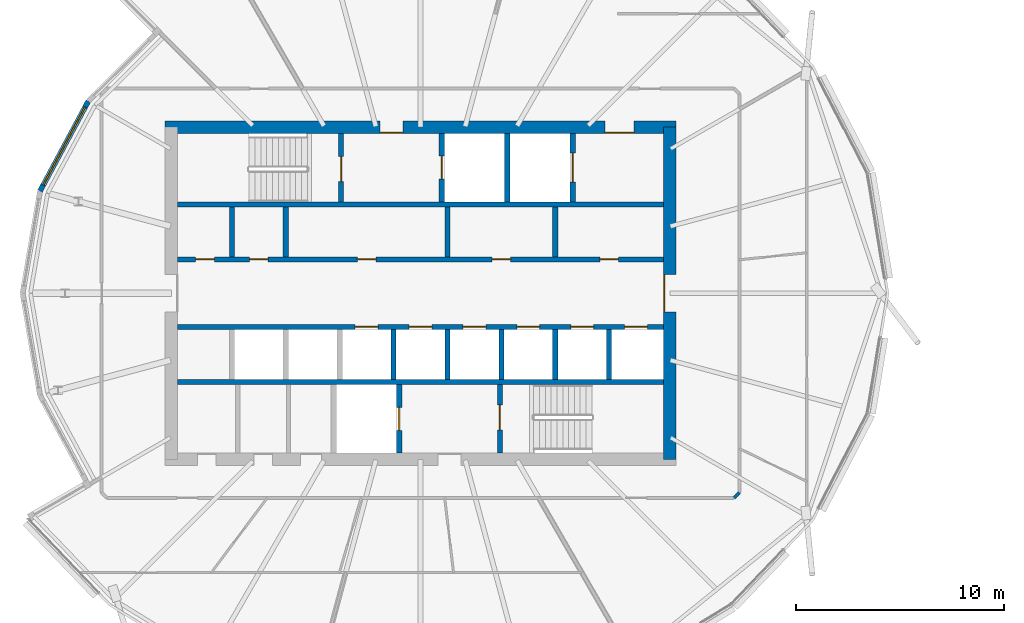
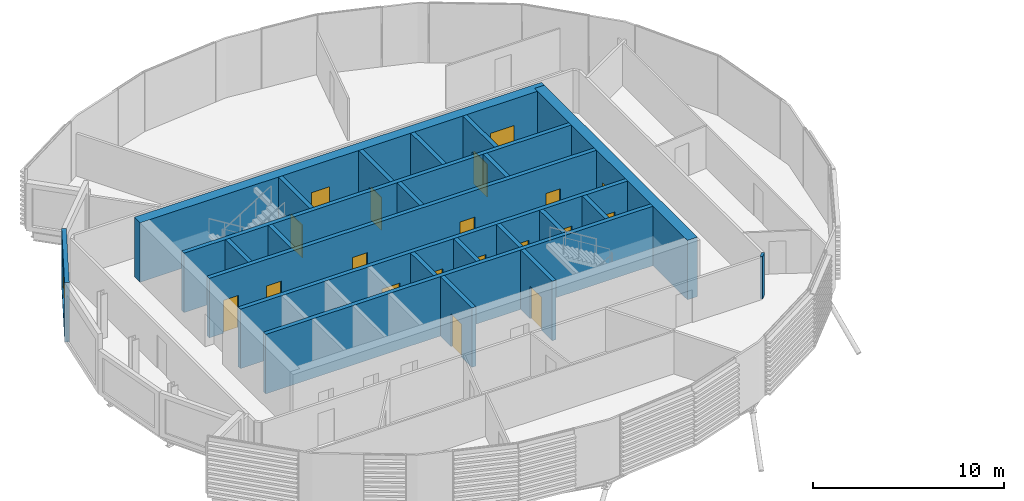
# One storey, part 20 of 37: 23 walls, 19 doors, 1 window, 20 openings.
"""IFC4 building model written with IfcOpenShell, lengths in metres."""

import ifcopenshell
import ifcopenshell.guid

model = None  # the IFC model being written
_history = None  # IfcOwnerHistory: only IFC2X3 demands one
_inside = {}  # id of a spatial element -> (the spatial element, [elements in it])
_under = {}  # id of a project, library or spatial element -> (it, [spatial elements below it])
_declared = {}  # id of a project -> (the project, [libraries it declares])
_typed = {}  # id of a type object -> (the type object, [elements of that type])
_made_of = {}  # id of a material, layer set ... -> (it, [elements and type objects made of it])


def new_model(schema):
    """Start an empty IFC model of exactly this schema.

    Asked for "IFC4X3", IfcOpenShell would pick the latest addendum, in which some entities
    have other attributes; the version numbers below select the first issue.
    IFC2X3 requires an IfcOwnerHistory on every rooted entity: one is made here for all.
    """
    global model, _history
    if schema == "IFC4X3":
        model = ifcopenshell.file(schema_version=(4, 3, 0, 0))
    else:
        model = ifcopenshell.file(schema=schema)
    _inside.clear()
    _under.clear()
    _declared.clear()
    _typed.clear()
    _made_of.clear()
    _history = None
    if model.schema == "IFC2X3":
        org = make("IfcOrganization", Name="unknown")
        user = make(
            "IfcPersonAndOrganization",
            ThePerson=make("IfcPerson", FamilyName="unknown"),
            TheOrganization=org,
        )
        app = make(
            "IfcApplication",
            ApplicationDeveloper=org,
            Version="unknown",
            ApplicationFullName="unknown",
            ApplicationIdentifier="unknown",
        )
        _history = make(
            "IfcOwnerHistory",
            OwningUser=user,
            OwningApplication=app,
            ChangeAction="ADDED",
            CreationDate=0,
        )
    return model


def make(cls, **values):
    """One entity of the class cls with the attributes given. An attribute that is None is left unset."""
    return model.create_entity(
        cls, **{name: value for name, value in values.items() if value is not None}
    )


def rooted(cls, **values):
    """An entity with a GlobalId (a new one), such as an element, a storey or a relation."""
    return make(cls, GlobalId=ifcopenshell.guid.new(), OwnerHistory=_history, **values)


def si_unit(unit_type, name, prefix=None):
    """IfcSIUnit, for example si_unit("LENGTHUNIT", "METRE", prefix="MILLI")."""
    return make("IfcSIUnit", UnitType=unit_type, Prefix=prefix, Name=name)


def assignment(units):
    """IfcUnitAssignment: the units of a project."""
    return None if units is None else make("IfcUnitAssignment", Units=units)


def point(xyz):
    """IfcCartesianPoint."""
    return None if xyz is None else make("IfcCartesianPoint", Coordinates=xyz)


def direction(xyz):
    """IfcDirection."""
    return None if xyz is None else make("IfcDirection", DirectionRatios=xyz)


def frame(location, z_axis=None, x_axis=None):
    """IfcAxis2Placement3D, a coordinate frame: its origin and axes. An axis left out is left unset."""
    return make(
        "IfcAxis2Placement3D",
        Location=point(location),
        Axis=direction(z_axis),
        RefDirection=direction(x_axis),
    )


def frame_2d(location, x_axis=None):
    """IfcAxis2Placement2D, a coordinate frame in the plane: its origin and x axis."""
    return make(
        "IfcAxis2Placement2D", Location=point(location), RefDirection=direction(x_axis)
    )


def origin():
    """The frame at (0, 0, 0) with its axes left unset."""
    return frame((0.0, 0.0, 0.0))


def place(relative_to, where):
    """IfcLocalPlacement: puts the frame where relative to a parent placement (None: the world)."""
    return make(
        "IfcLocalPlacement", PlacementRelTo=relative_to, RelativePlacement=where
    )


def context(
    kind, dimensions, precision=None, world=None, true_north=None, identifier=None
):
    """IfcGeometricRepresentationContext, for example the 3D "Model" context."""
    return make(
        "IfcGeometricRepresentationContext",
        ContextIdentifier=identifier,
        ContextType=kind,
        CoordinateSpaceDimension=dimensions,
        Precision=precision,
        WorldCoordinateSystem=world,
        TrueNorth=true_north,
    )


def subcontext(parent, identifier, kind, view, scale=None):
    """IfcGeometricRepresentationSubContext, for example "Body" below "Model"."""
    return make(
        "IfcGeometricRepresentationSubContext",
        ContextIdentifier=identifier,
        ContextType=kind,
        ParentContext=parent,
        TargetScale=scale,
        TargetView=view,
    )


def project(units=None, contexts=None):
    """IfcProject with its units and contexts."""
    return rooted(
        "IfcProject",
        Name="project",
        RepresentationContexts=contexts,
        UnitsInContext=assignment(units),
    )


def spatial(cls, under=None, at=None, **own):
    """A site, building, storey or space (cls), placed at a placement, below another one or the project."""
    s = rooted(cls, ObjectPlacement=at, **own)
    if under is not None:
        _under.setdefault(under.id(), (under, []))[1].append(s)
    return s


def profile(cls, at=None, kind="AREA", **sizes):
    """A parametric profile (cls). Its sizes go by their IFC names, for example OverallWidth=200.0."""
    return make(cls, ProfileType=kind, Position=at, **sizes)


def rectangle(**sizes):
    """IfcRectangleProfileDef."""
    return profile("IfcRectangleProfileDef", **sizes)


def extrude(swept, where, along, depth):
    """IfcExtrudedAreaSolid: the profile swept, set in the frame where, extruded along a direction by depth."""
    return make(
        "IfcExtrudedAreaSolid",
        SweptArea=swept,
        Position=where,
        ExtrudedDirection=direction(along),
        Depth=depth,
    )


def shape(context_of_items, identifier, shape_type, items):
    """IfcShapeRepresentation: the items that make up one representation, for example the "Body"."""
    return make(
        "IfcShapeRepresentation",
        ContextOfItems=context_of_items,
        RepresentationIdentifier=identifier,
        RepresentationType=shape_type,
        Items=items,
    )


def material(Name=None, Category=None):
    """IfcMaterial."""
    return make("IfcMaterial", Name=Name, Category=Category)


def layer(
    of_material, thickness, ventilated=None, Name=None, Category=None, Priority=None
):
    """IfcMaterialLayer: one layer of a wall or slab, of a material (None: an air gap)."""
    return make(
        "IfcMaterialLayer",
        Material=of_material,
        LayerThickness=thickness,
        IsVentilated=ventilated,
        Name=Name,
        Category=Category,
        Priority=Priority,
    )


def layer_set(layers, Name=None):
    """IfcMaterialLayerSet."""
    return make("IfcMaterialLayerSet", MaterialLayers=layers, LayerSetName=Name)


def made_of(thing, what):
    """Note that an element or type object is made of a material, layer set ...; save() writes the relation."""
    if what is not None:
        _made_of.setdefault(what.id(), (what, []))[1].append(thing)
    return thing


def type_object(cls, material=None, **own):
    """A type object (cls), such as IfcWallType, which elements share."""
    return made_of(rooted(cls, **own), material)


def element(
    cls,
    number,
    at=None,
    inside=None,
    cuts=None,
    type_object=None,
    material=None,
    context=None,
    identifier="Body",
    shape_type=None,
    held_by="IfcProductDefinitionShape",
    body=None,
    shapes=None,
    **own,
):
    """One element of the class cls, such as IfcWall. Its Tag is "e" and its number.

    at: its placement. inside: the storey or other place that contains it. cuts: it is an
    opening in that element (IfcRelVoidsElement). A single representation is given by context,
    identifier, shape_type and body (its items); several are given by shapes. held_by: the class
    of the entity that holds the representations. save() writes the other relations.
    """
    e = rooted(cls, Tag="e%d" % number, ObjectPlacement=at, **own)
    if body is not None:
        shapes = [shape(context, identifier, shape_type, body)]
    if shapes is not None:
        e.Representation = make(held_by, Representations=shapes)
    if inside is not None:
        _inside.setdefault(inside.id(), (inside, []))[1].append(e)
    if cuts is not None:
        rooted(
            "IfcRelVoidsElement", RelatingBuildingElement=cuts, RelatedOpeningElement=e
        )
    if type_object is not None:
        _typed.setdefault(type_object.id(), (type_object, []))[1].append(e)
    return made_of(e, material)


def fill(opening, filler):
    """IfcRelFillsElement: the door or window that sits in an opening."""
    return rooted(
        "IfcRelFillsElement",
        RelatingOpeningElement=opening,
        RelatedBuildingElement=filler,
    )


def aggregate(whole, parts):
    """IfcRelAggregates: a whole, such as a stair, and the parts it consists of."""
    return rooted("IfcRelAggregates", RelatingObject=whole, RelatedObjects=parts)


def save(model, path):
    """Write the relations noted so far, then the file.

    IfcRelAggregates (storeys below a building ...), IfcRelContainedInSpatialStructure (elements
    in a storey), IfcRelDefinesByType, IfcRelAssociatesMaterial and IfcRelDeclares: one each for
    every whole, place, type object, material and project.
    """
    for whole, parts in _under.values():
        aggregate(whole, parts)
    for where, things in _inside.values():
        rooted(
            "IfcRelContainedInSpatialStructure",
            RelatedElements=things,
            RelatingStructure=where,
        )
    for kind, things in _typed.values():
        rooted("IfcRelDefinesByType", RelatedObjects=things, RelatingType=kind)
    for what, things in _made_of.values():
        rooted("IfcRelAssociatesMaterial", RelatedObjects=things, RelatingMaterial=what)
    for by, libraries in _declared.values():
        rooted("IfcRelDeclares", RelatingContext=by, RelatedDefinitions=libraries)
    model.write(path)


model = new_model("IFC4")

# Units and contexts
model_context = context("Model", 3, precision=1e-05, world=origin(), true_north=direction((0.0, 1.0)))
body_context = subcontext(model_context, "Body", "Model", "MODEL_VIEW")
ifc_project = project(units=[si_unit("LENGTHUNIT", "METRE"), si_unit("AREAUNIT", "SQUARE_METRE"), si_unit("VOLUMEUNIT", "CUBIC_METRE"), si_unit("PLANEANGLEUNIT", "RADIAN"), si_unit("MASSUNIT", "GRAM", prefix="KILO")], contexts=[model_context])

# Site, building, storey
site_placement = place(None, origin())
site = spatial("IfcSite", under=ifc_project, at=site_placement, CompositionType="ELEMENT")
building_placement = place(site_placement, origin())
building = spatial("IfcBuilding", under=site, at=building_placement, Name="Rimbun Link Towers", CompositionType="ELEMENT")
storey_placement = place(building_placement, frame((0.0, 0.0, 166.5)))
storey = spatial("IfcBuildingStorey", under=building, at=storey_placement, Name="L40", CompositionType="ELEMENT", Elevation=166.5)

# Wall, opening, window
ifc_material_1 = material(Name="Dark enamelled glass spandrel on insulated aluminium backpan", Category="aluminium")
ifc_layer_1 = layer(ifc_material_1, 0.25)
ifc_layer_set_1 = layer_set([ifc_layer_1], Name="CS dark enamelled spandrel wall 250")
wall_type_1 = type_object("IfcWallType", Name="CS dark enamelled spandrel wall 250", PredefinedType="STANDARD", material=ifc_layer_set_1)
wall_1_placement = place(storey_placement, frame((-50.07470703125, 4.919189453125, 0.0), z_axis=(0.0, 0.0, 1.0), x_axis=(0.473187986105, 0.880961480319, 0.0)))
wall_1 = element("IfcWall", 1, at=wall_1_placement, inside=storey, type_object=wall_type_1, Name="Crease spandrel wall", PredefinedType="STANDARD", context=body_context, shape_type="SweptSolid", body=[
    extrude(rectangle(XDim=4.9189453125, YDim=0.25, at=frame_2d((2.45947265625, 0.0))), origin(), (0.0, 0.0, 1.0), 3.800048828125),
])
opening_1_placement = place(wall_1_placement, frame((0.33447265625, 0.0, 0.300048828125)))
opening_1 = element("IfcOpeningElement", 2, at=opening_1_placement, cuts=wall_1, Name="Opening WR42H295", PredefinedType="OPENING", context=body_context, shape_type="SweptSolid", body=[
    extrude(rectangle(XDim=4.25, YDim=2.949951171875, at=frame_2d((2.125, 1.47509765625))), frame((0.0, 0.135009765625, 0.0), z_axis=(0.0, -1.0, 0.0), x_axis=(1.0, 0.0, 0.0)), (0.0, 0.0, 1.0), 0.27001953125),
])
ifc_material_2 = material(Name="Aluminium framed fixed window, dark tinted low-e glass", Category="aluminium")
window_type = type_object("IfcWindowType", Name="WR ribbon window 4250X2950", PartitioningType="SINGLE_PANEL", PredefinedType="WINDOW", material=ifc_material_2)
window_placement = place(opening_1_placement, origin())
window = element("IfcWindow", 3, at=window_placement, inside=storey, type_object=window_type, Name="Crease ribbon window", OverallHeight=2.949951171875, OverallWidth=4.25, PartitioningType="SINGLE_PANEL", PredefinedType="WINDOW", context=body_context, shape_type="SweptSolid", body=[
    extrude(rectangle(XDim=4.25, YDim=2.949951171875, at=frame_2d((2.125, 1.47509765625))), frame((0.0, 0.030029296875, 0.0), z_axis=(0.0, -1.0, 0.0), x_axis=(1.0, 0.0, 0.0)), (0.0, 0.0, 1.0), 0.06005859375),
])
fill(opening_1, window)

# Wall, openings, doors
ifc_material_3 = material(Name="Concrete C60/75", Category="concrete")
ifc_layer_2 = layer(ifc_material_3, 0.60009765625)
ifc_layer_set_2 = layer_set([ifc_layer_2], Name="Core shear wall 600")
wall_type_2 = type_object("IfcWallType", Name="Core shear wall 600", PredefinedType="SHEAR", material=ifc_layer_set_2)
wall_2_placement = place(storey_placement, frame((-44.050048828125, 8.0, 0.0), z_axis=(0.0, 0.0, 1.0), x_axis=(1.0, 0.0, 0.0)))
wall_2 = element("IfcWall", 4, at=wall_2_placement, inside=storey, type_object=wall_type_2, Name="L40 T1 core wall N", PredefinedType="SHEAR", context=body_context, shape_type="SweptSolid", body=[
    extrude(rectangle(XDim=24.60009765625, YDim=0.60009765625, at=frame_2d((12.300048828125, 0.0))), origin(), (0.0, 0.0, 1.0), 3.800048828125),
])
opening_2_placement = place(wall_2_placement, frame((10.35009765625, 0.0, 0.0)))
opening_2 = element("IfcOpeningElement", 5, at=opening_2_placement, cuts=wall_2, Name="Opening C1DCF01N", PredefinedType="OPENING", context=body_context, shape_type="SweptSolid", body=[
    extrude(rectangle(XDim=1.10009765625, YDim=2.10009765625, at=frame_2d((0.550048828125, 1.050048828125))), frame((0.0, 0.31005859375, 0.0), z_axis=(0.0, -1.0, 0.0), x_axis=(1.0, 0.0, 0.0)), (0.0, 0.0, 1.0), 0.6201171875),
])
opening_3_placement = place(wall_2_placement, frame((21.175048828125, 0.0, 0.0)))
opening_3 = element("IfcOpeningElement", 6, at=opening_3_placement, cuts=wall_2, Name="Opening C1DSL02N", PredefinedType="OPENING", context=body_context, shape_type="SweptSolid", body=[
    extrude(rectangle(XDim=1.39990234375, YDim=2.10009765625, at=frame_2d((0.699951171875, 1.050048828125))), frame((0.0, 0.31005859375, 0.0), z_axis=(0.0, -1.0, 0.0), x_axis=(1.0, 0.0, 0.0)), (0.0, 0.0, 1.0), 0.6201171875),
])
ifc_material_4 = material(Name="Steel fire door set", Category="steel")
door_type_1 = type_object("IfcDoorType", Name="Core fire door single", OperationType="SINGLE_SWING_LEFT", PredefinedType="DOOR", material=ifc_material_4)
door_1_placement = place(opening_2_placement, origin())
door_1 = element("IfcDoor", 7, at=door_1_placement, inside=storey, type_object=door_type_1, Name="L40 T1 firefighting lobby n door", OperationType="SINGLE_SWING_LEFT", OverallHeight=2.10009765625, OverallWidth=1.10009765625, PredefinedType="DOOR", context=body_context, shape_type="SweptSolid", body=[
    extrude(rectangle(XDim=1.10009765625, YDim=2.10009765625, at=frame_2d((0.550048828125, 1.050048828125))), frame((0.0, -0.25, 0.0), z_axis=(0.0, -1.0, 0.0), x_axis=(1.0, 0.0, 0.0)), (0.0, 0.0, 1.0), 0.050048828125),
])
fill(opening_2, door_1)
ifc_material_5 = material(Name="Steel fire door set", Category="steel")
door_type_2 = type_object("IfcDoorType", Name="Service lobby door double", OperationType="DOUBLE_DOOR_SINGLE_SWING", PredefinedType="DOOR", material=ifc_material_5)
door_2_placement = place(opening_3_placement, origin())
door_2 = element("IfcDoor", 8, at=door_2_placement, inside=storey, type_object=door_type_2, Name="L40 T1 service lobby door", OperationType="DOUBLE_DOOR_SINGLE_SWING", OverallHeight=2.10009765625, OverallWidth=1.39990234375, PredefinedType="DOOR", context=body_context, shape_type="SweptSolid", body=[
    extrude(rectangle(XDim=1.39990234375, YDim=2.10009765625, at=frame_2d((0.699951171875, 1.050048828125))), frame((0.0, -0.25, 0.0), z_axis=(0.0, -1.0, 0.0), x_axis=(1.0, 0.0, 0.0)), (0.0, 0.0, 1.0), 0.050048828125),
])
fill(opening_3, door_2)

# Wall, opening, door
wall_3_placement = place(storey_placement, frame((-19.75, -8.0, 0.0), z_axis=(0.0, 0.0, 1.0), x_axis=(0.0, 1.0, 0.0)))
wall_3 = element("IfcWall", 9, at=wall_3_placement, inside=storey, type_object=wall_type_2, Name="L40 T1 core wall E", PredefinedType="SHEAR", context=body_context, shape_type="SweptSolid", body=[
    extrude(rectangle(XDim=16.0, YDim=0.60009765625, at=frame_2d((8.0, 0.0))), origin(), (0.0, 0.0, 1.0), 3.800048828125),
])
opening_4_placement = place(wall_3_placement, frame((7.10009765625, 0.0, 0.0)))
opening_4 = element("IfcOpeningElement", 10, at=opening_4_placement, cuts=wall_3, Name="Opening C1DCL01E", PredefinedType="OPENING", context=body_context, shape_type="SweptSolid", body=[
    extrude(rectangle(XDim=1.800048828125, YDim=2.10009765625, at=frame_2d((0.89990234375, 1.050048828125))), frame((0.0, 0.31005859375, 0.0), z_axis=(0.0, -1.0, 0.0), x_axis=(1.0, 0.0, 0.0)), (0.0, 0.0, 1.0), 0.6201171875),
])
ifc_material_6 = material(Name="Steel fire door set", Category="steel")
door_type_3 = type_object("IfcDoorType", Name="Core lobby door double", OperationType="DOUBLE_DOOR_SINGLE_SWING", PredefinedType="DOOR", material=ifc_material_6)
door_3_placement = place(opening_4_placement, origin())
door_3 = element("IfcDoor", 11, at=door_3_placement, inside=storey, type_object=door_type_3, Name="L40 T1 lift lobby door", OperationType="DOUBLE_DOOR_SINGLE_SWING", OverallHeight=2.10009765625, OverallWidth=1.800048828125, PredefinedType="DOOR", context=body_context, shape_type="SweptSolid", body=[
    extrude(rectangle(XDim=1.800048828125, YDim=2.10009765625, at=frame_2d((0.89990234375, 1.050048828125))), frame((0.0, 0.2998046875, 0.0), z_axis=(0.0, -1.0, 0.0), x_axis=(1.0, 0.0, 0.0)), (0.0, 0.0, 1.0), 0.050048828125),
])
fill(opening_4, door_3)

# Walls
ifc_material_7 = material(Name="Plasterboard on steel stud, mineral wool", Category="steel")
ifc_layer_3 = layer(ifc_material_7, 0.14990234375)
ifc_layer_set_3 = layer_set([ifc_layer_3], Name="Corridor wall EI 30 150 mm")
wall_type_3 = type_object("IfcWallType", Name="Corridor wall EI 30 150 mm", PredefinedType="PARTITIONING", material=ifc_layer_set_3)
wall_4_placement = place(storey_placement, frame((-16.65625, -9.85498046875, 0.0), z_axis=(0.0, 0.0, 1.0), x_axis=(0.707106781187, 0.707106781187, 0.0)))
element("IfcWall", 12, at=wall_4_placement, inside=storey, type_object=wall_type_3, Name="Corridor wall EI 30 150 mm", PredefinedType="PARTITIONING", context=body_context, shape_type="SweptSolid", body=[
    extrude(rectangle(XDim=0.369384765625, YDim=0.14990234375, at=frame_2d((0.1845703125, 0.0))), origin(), (0.0, 0.0, 1.0), 2.7119140625),
])
ifc_material_8 = material(Name="Concrete C60/75", Category="concrete")
ifc_layer_4 = layer(ifc_material_8, 0.25)
ifc_layer_set_4 = layer_set([ifc_layer_4], Name="Shaft wall 250")
wall_type_4 = type_object("IfcWallType", Name="Shaft wall 250", PredefinedType="SHEAR", material=ifc_layer_set_4)
for number, where, z_axis, x_axis, name in (
    (13, (-43.449951171875, 4.27490234375, 0.0), (0.0, 0.0, 1.0), (1.0, 0.0, 0.0), "L40 T1 core wall BN"),
    (14, (-43.449951171875, -4.27490234375, 0.0), (0.0, 0.0, 1.0), (1.0, 0.0, 0.0), "L40 T1 core wall BS"),
):
    element("IfcWall", number, at=place(storey_placement, frame(where, z_axis=z_axis, x_axis=x_axis)), inside=storey, type_object=wall_type_4, Name=name, PredefinedType="SHEAR", context=body_context, shape_type="SweptSolid", body=[
        extrude(rectangle(XDim=23.39990234375, YDim=0.25, at=frame_2d((11.699951171875, 0.0))), origin(), (0.0, 0.0, 1.0), 3.800048828125),
    ])

# Wall, openings, doors
wall_5_placement = place(storey_placement, frame((-43.449951171875, 1.625, 0.0), z_axis=(0.0, 0.0, 1.0), x_axis=(1.0, 0.0, 0.0)))
wall_5 = element("IfcWall", 15, at=wall_5_placement, inside=storey, type_object=wall_type_4, Name="L40 T1 core wall FN", PredefinedType="SHEAR", context=body_context, shape_type="SweptSolid", body=[
    extrude(rectangle(XDim=23.39990234375, YDim=0.25, at=frame_2d((11.699951171875, 0.0))), origin(), (0.0, 0.0, 1.0), 3.800048828125),
])
opening_5_placement = place(wall_5_placement, frame((0.872314453125, 0.0, 0.0)))
opening_5 = element("IfcOpeningElement", 16, at=opening_5_placement, cuts=wall_5, Name="Opening C1DRS01FN", PredefinedType="OPENING", context=body_context, shape_type="SweptSolid", body=[
    extrude(rectangle(XDim=0.89990234375, YDim=2.10009765625, at=frame_2d((0.449951171875, 1.050048828125))), frame((0.0, 0.135009765625, 0.0), z_axis=(0.0, -1.0, 0.0), x_axis=(1.0, 0.0, 0.0)), (0.0, 0.0, 1.0), 0.27001953125),
])
opening_6_placement = place(wall_5_placement, frame((3.466796875, 0.0, 0.0)))
opening_6 = element("IfcOpeningElement", 17, at=opening_6_placement, cuts=wall_5, Name="Opening C1DRS02FN", PredefinedType="OPENING", context=body_context, shape_type="SweptSolid", body=[
    extrude(rectangle(XDim=0.89990234375, YDim=2.10009765625, at=frame_2d((0.449951171875, 1.050048828125))), frame((0.0, 0.135009765625, 0.0), z_axis=(0.0, -1.0, 0.0), x_axis=(1.0, 0.0, 0.0)), (0.0, 0.0, 1.0), 0.27001953125),
])
opening_7_placement = place(wall_5_placement, frame((8.655517578125, 0.0, 0.0)))
opening_7 = element("IfcOpeningElement", 18, at=opening_7_placement, cuts=wall_5, Name="Opening C1DRS03FN", PredefinedType="OPENING", context=body_context, shape_type="SweptSolid", body=[
    extrude(rectangle(XDim=0.89990234375, YDim=2.10009765625, at=frame_2d((0.449951171875, 1.050048828125))), frame((0.0, 0.135009765625, 0.0), z_axis=(0.0, -1.0, 0.0), x_axis=(1.0, 0.0, 0.0)), (0.0, 0.0, 1.0), 0.27001953125),
])
opening_8_placement = place(wall_5_placement, frame((15.1416015625, 0.0, 0.0)))
opening_8 = element("IfcOpeningElement", 19, at=opening_8_placement, cuts=wall_5, Name="Opening C1DRS04FN", PredefinedType="OPENING", context=body_context, shape_type="SweptSolid", body=[
    extrude(rectangle(XDim=0.89990234375, YDim=2.10009765625, at=frame_2d((0.449951171875, 1.050048828125))), frame((0.0, 0.135009765625, 0.0), z_axis=(0.0, -1.0, 0.0), x_axis=(1.0, 0.0, 0.0)), (0.0, 0.0, 1.0), 0.27001953125),
])
opening_9_placement = place(wall_5_placement, frame((20.33056640625, 0.0, 0.0)))
opening_9 = element("IfcOpeningElement", 20, at=opening_9_placement, cuts=wall_5, Name="Opening C1DRS05FN", PredefinedType="OPENING", context=body_context, shape_type="SweptSolid", body=[
    extrude(rectangle(XDim=0.89990234375, YDim=2.10009765625, at=frame_2d((0.449951171875, 1.050048828125))), frame((0.0, 0.135009765625, 0.0), z_axis=(0.0, -1.0, 0.0), x_axis=(1.0, 0.0, 0.0)), (0.0, 0.0, 1.0), 0.27001953125),
])
ifc_material_9 = material(Name="Steel fire door set", Category="steel")
door_type_4 = type_object("IfcDoorType", Name="Core riser door", OperationType="SINGLE_SWING_LEFT", PredefinedType="DOOR", material=ifc_material_9)
door_4_placement = place(opening_5_placement, origin())
door_4 = element("IfcDoor", 21, at=door_4_placement, inside=storey, type_object=door_type_4, Name="L40 T1 pantry door", OperationType="SINGLE_SWING_LEFT", OverallHeight=2.10009765625, OverallWidth=0.89990234375, PredefinedType="DOOR", context=body_context, shape_type="SweptSolid", body=[
    extrude(rectangle(XDim=0.89990234375, YDim=2.10009765625, at=frame_2d((0.449951171875, 1.050048828125))), frame((0.0, 0.02490234375, 0.0), z_axis=(0.0, -1.0, 0.0), x_axis=(1.0, 0.0, 0.0)), (0.0, 0.0, 1.0), 0.050048828125),
])
fill(opening_5, door_4)
door_5_placement = place(opening_6_placement, origin())
door_5 = element("IfcDoor", 22, at=door_5_placement, inside=storey, type_object=door_type_4, Name="L40 T1 stationery store door", OperationType="SINGLE_SWING_LEFT", OverallHeight=2.10009765625, OverallWidth=0.89990234375, PredefinedType="DOOR", context=body_context, shape_type="SweptSolid", body=[
    extrude(rectangle(XDim=0.89990234375, YDim=2.10009765625, at=frame_2d((0.449951171875, 1.050048828125))), frame((0.0, 0.02490234375, 0.0), z_axis=(0.0, -1.0, 0.0), x_axis=(1.0, 0.0, 0.0)), (0.0, 0.0, 1.0), 0.050048828125),
])
fill(opening_6, door_5)
door_6_placement = place(opening_7_placement, origin())
door_6 = element("IfcDoor", 23, at=door_6_placement, inside=storey, type_object=door_type_4, Name="L40 T1 training store door", OperationType="SINGLE_SWING_LEFT", OverallHeight=2.10009765625, OverallWidth=0.89990234375, PredefinedType="DOOR", context=body_context, shape_type="SweptSolid", body=[
    extrude(rectangle(XDim=0.89990234375, YDim=2.10009765625, at=frame_2d((0.449951171875, 1.050048828125))), frame((0.0, 0.02490234375, 0.0), z_axis=(0.0, -1.0, 0.0), x_axis=(1.0, 0.0, 0.0)), (0.0, 0.0, 1.0), 0.050048828125),
])
fill(opening_7, door_6)
door_7_placement = place(opening_8_placement, origin())
door_7 = element("IfcDoor", 24, at=door_7_placement, inside=storey, type_object=door_type_4, Name="L40 T1 print room door", OperationType="SINGLE_SWING_LEFT", OverallHeight=2.10009765625, OverallWidth=0.89990234375, PredefinedType="DOOR", context=body_context, shape_type="SweptSolid", body=[
    extrude(rectangle(XDim=0.89990234375, YDim=2.10009765625, at=frame_2d((0.449951171875, 1.050048828125))), frame((0.0, 0.02490234375, 0.0), z_axis=(0.0, -1.0, 0.0), x_axis=(1.0, 0.0, 0.0)), (0.0, 0.0, 1.0), 0.050048828125),
])
fill(opening_8, door_7)
door_8_placement = place(opening_9_placement, origin())
door_8 = element("IfcDoor", 25, at=door_8_placement, inside=storey, type_object=door_type_4, Name="L40 T1 staff lounge door", OperationType="SINGLE_SWING_RIGHT", OverallHeight=2.10009765625, OverallWidth=0.89990234375, PredefinedType="DOOR", context=body_context, shape_type="SweptSolid", body=[
    extrude(rectangle(XDim=0.89990234375, YDim=2.10009765625, at=frame_2d((0.449951171875, 1.050048828125))), frame((0.0, 0.02490234375, 0.0), z_axis=(0.0, -1.0, 0.0), x_axis=(1.0, 0.0, 0.0)), (0.0, 0.0, 1.0), 0.050048828125),
])
fill(opening_9, door_8)

wall_6_placement = place(storey_placement, frame((-43.449951171875, -1.625, 0.0), z_axis=(0.0, 0.0, 1.0), x_axis=(1.0, 0.0, 0.0)))
wall_6 = element("IfcWall", 26, at=wall_6_placement, inside=storey, type_object=wall_type_4, Name="L40 T1 core wall FS", PredefinedType="SHEAR", context=body_context, shape_type="SweptSolid", body=[
    extrude(rectangle(XDim=23.39990234375, YDim=0.25, at=frame_2d((11.699951171875, 0.0))), origin(), (0.0, 0.0, 1.0), 3.800048828125),
])
opening_10_placement = place(wall_6_placement, frame((8.5556640625, 0.0, 0.0)))
opening_10 = element("IfcOpeningElement", 27, at=opening_10_placement, cuts=wall_6, Name="Opening LD-T1-HR1", PredefinedType="OPENING", context=body_context, shape_type="SweptSolid", body=[
    extrude(rectangle(XDim=1.10009765625, YDim=2.10009765625, at=frame_2d((0.550048828125, 1.050048828125))), frame((0.0, 0.135009765625, 0.0), z_axis=(0.0, -1.0, 0.0), x_axis=(1.0, 0.0, 0.0)), (0.0, 0.0, 1.0), 0.27001953125),
])
opening_11_placement = place(wall_6_placement, frame((11.14990234375, 0.0, 0.0)))
opening_11 = element("IfcOpeningElement", 28, at=opening_11_placement, cuts=wall_6, Name="Opening LD-T1-HR2", PredefinedType="OPENING", context=body_context, shape_type="SweptSolid", body=[
    extrude(rectangle(XDim=1.10009765625, YDim=2.10009765625, at=frame_2d((0.550048828125, 1.050048828125))), frame((0.0, 0.135009765625, 0.0), z_axis=(0.0, -1.0, 0.0), x_axis=(1.0, 0.0, 0.0)), (0.0, 0.0, 1.0), 0.27001953125),
])
opening_12_placement = place(wall_6_placement, frame((13.744384765625, 0.0, 0.0)))
opening_12 = element("IfcOpeningElement", 29, at=opening_12_placement, cuts=wall_6, Name="Opening LD-T1-HR3", PredefinedType="OPENING", context=body_context, shape_type="SweptSolid", body=[
    extrude(rectangle(XDim=1.10009765625, YDim=2.10009765625, at=frame_2d((0.550048828125, 1.050048828125))), frame((0.0, 0.135009765625, 0.0), z_axis=(0.0, -1.0, 0.0), x_axis=(1.0, 0.0, 0.0)), (0.0, 0.0, 1.0), 0.27001953125),
])
opening_13_placement = place(wall_6_placement, frame((16.3388671875, 0.0, 0.0)))
opening_13 = element("IfcOpeningElement", 30, at=opening_13_placement, cuts=wall_6, Name="Opening LD-T1-HR4", PredefinedType="OPENING", context=body_context, shape_type="SweptSolid", body=[
    extrude(rectangle(XDim=1.10009765625, YDim=2.10009765625, at=frame_2d((0.550048828125, 1.050048828125))), frame((0.0, 0.135009765625, 0.0), z_axis=(0.0, -1.0, 0.0), x_axis=(1.0, 0.0, 0.0)), (0.0, 0.0, 1.0), 0.27001953125),
])
opening_14_placement = place(wall_6_placement, frame((18.933349609375, 0.0, 0.0)))
opening_14 = element("IfcOpeningElement", 31, at=opening_14_placement, cuts=wall_6, Name="Opening LD-T1-HR5", PredefinedType="OPENING", context=body_context, shape_type="SweptSolid", body=[
    extrude(rectangle(XDim=1.10009765625, YDim=2.10009765625, at=frame_2d((0.550048828125, 1.050048828125))), frame((0.0, 0.135009765625, 0.0), z_axis=(0.0, -1.0, 0.0), x_axis=(1.0, 0.0, 0.0)), (0.0, 0.0, 1.0), 0.27001953125),
])
opening_15_placement = place(wall_6_placement, frame((21.52783203125, 0.0, 0.0)))
opening_15 = element("IfcOpeningElement", 32, at=opening_15_placement, cuts=wall_6, Name="Opening LD-T1-HR6", PredefinedType="OPENING", context=body_context, shape_type="SweptSolid", body=[
    extrude(rectangle(XDim=1.10009765625, YDim=2.10009765625, at=frame_2d((0.550048828125, 1.050048828125))), frame((0.0, 0.135009765625, 0.0), z_axis=(0.0, -1.0, 0.0), x_axis=(1.0, 0.0, 0.0)), (0.0, 0.0, 1.0), 0.27001953125),
])
ifc_material_10 = material(Name="Stainless steel grade 316", Category="steel")
door_type_5 = type_object("IfcDoorType", Name="Lift landing door", OperationType="DOUBLE_DOOR_SLIDING", PredefinedType="DOOR", material=ifc_material_10)
door_9_placement = place(opening_10_placement, origin())
door_9 = element("IfcDoor", 33, at=door_9_placement, inside=storey, type_object=door_type_5, Name="L40 T1 lift HR1 landing door", OperationType="DOUBLE_DOOR_SLIDING", OverallHeight=2.10009765625, OverallWidth=1.10009765625, PredefinedType="DOOR", context=body_context, shape_type="SweptSolid", body=[
    extrude(rectangle(XDim=1.10009765625, YDim=2.10009765625, at=frame_2d((0.550048828125, 1.050048828125))), frame((0.0, 0.02490234375, 0.0), z_axis=(0.0, -1.0, 0.0), x_axis=(1.0, 0.0, 0.0)), (0.0, 0.0, 1.0), 0.050048828125),
])
fill(opening_10, door_9)
door_10_placement = place(opening_11_placement, origin())
door_10 = element("IfcDoor", 34, at=door_10_placement, inside=storey, type_object=door_type_5, Name="L40 T1 lift HR2 landing door", OperationType="DOUBLE_DOOR_SLIDING", OverallHeight=2.10009765625, OverallWidth=1.10009765625, PredefinedType="DOOR", context=body_context, shape_type="SweptSolid", body=[
    extrude(rectangle(XDim=1.10009765625, YDim=2.10009765625, at=frame_2d((0.550048828125, 1.050048828125))), frame((0.0, 0.02490234375, 0.0), z_axis=(0.0, -1.0, 0.0), x_axis=(1.0, 0.0, 0.0)), (0.0, 0.0, 1.0), 0.050048828125),
])
fill(opening_11, door_10)
door_11_placement = place(opening_12_placement, origin())
door_11 = element("IfcDoor", 35, at=door_11_placement, inside=storey, type_object=door_type_5, Name="L40 T1 lift HR3 landing door", OperationType="DOUBLE_DOOR_SLIDING", OverallHeight=2.10009765625, OverallWidth=1.10009765625, PredefinedType="DOOR", context=body_context, shape_type="SweptSolid", body=[
    extrude(rectangle(XDim=1.10009765625, YDim=2.10009765625, at=frame_2d((0.550048828125, 1.050048828125))), frame((0.0, 0.02490234375, 0.0), z_axis=(0.0, -1.0, 0.0), x_axis=(1.0, 0.0, 0.0)), (0.0, 0.0, 1.0), 0.050048828125),
])
fill(opening_12, door_11)
door_12_placement = place(opening_13_placement, origin())
door_12 = element("IfcDoor", 36, at=door_12_placement, inside=storey, type_object=door_type_5, Name="L40 T1 lift HR4 landing door", OperationType="DOUBLE_DOOR_SLIDING", OverallHeight=2.10009765625, OverallWidth=1.10009765625, PredefinedType="DOOR", context=body_context, shape_type="SweptSolid", body=[
    extrude(rectangle(XDim=1.10009765625, YDim=2.10009765625, at=frame_2d((0.550048828125, 1.050048828125))), frame((0.0, 0.02490234375, 0.0), z_axis=(0.0, -1.0, 0.0), x_axis=(1.0, 0.0, 0.0)), (0.0, 0.0, 1.0), 0.050048828125),
])
fill(opening_13, door_12)
door_13_placement = place(opening_14_placement, origin())
door_13 = element("IfcDoor", 37, at=door_13_placement, inside=storey, type_object=door_type_5, Name="L40 T1 lift HR5 landing door", OperationType="DOUBLE_DOOR_SLIDING", OverallHeight=2.10009765625, OverallWidth=1.10009765625, PredefinedType="DOOR", context=body_context, shape_type="SweptSolid", body=[
    extrude(rectangle(XDim=1.10009765625, YDim=2.10009765625, at=frame_2d((0.550048828125, 1.050048828125))), frame((0.0, 0.02490234375, 0.0), z_axis=(0.0, -1.0, 0.0), x_axis=(1.0, 0.0, 0.0)), (0.0, 0.0, 1.0), 0.050048828125),
])
fill(opening_14, door_13)
door_14_placement = place(opening_15_placement, origin())
door_14 = element("IfcDoor", 38, at=door_14_placement, inside=storey, type_object=door_type_5, Name="L40 T1 lift HR6 landing door", OperationType="DOUBLE_DOOR_SLIDING", OverallHeight=2.10009765625, OverallWidth=1.10009765625, PredefinedType="DOOR", context=body_context, shape_type="SweptSolid", body=[
    extrude(rectangle(XDim=1.10009765625, YDim=2.10009765625, at=frame_2d((0.550048828125, 1.050048828125))), frame((0.0, 0.02490234375, 0.0), z_axis=(0.0, -1.0, 0.0), x_axis=(1.0, 0.0, 0.0)), (0.0, 0.0, 1.0), 0.050048828125),
])
fill(opening_15, door_14)

# Walls
for number, where, z_axis, x_axis, name in (
    (39, (-40.83056640625, 1.75, 0.0), (0.0, 0.0, 1.0), (0.0, 1.0, 0.0), "L40 T1 core wall DN0"),
    (40, (-38.236083984375, 1.75, 0.0), (0.0, 0.0, 1.0), (0.0, 1.0, 0.0), "L40 T1 core wall DN1"),
    (41, (-30.452880859375, 1.75, 0.0), (0.0, 0.0, 1.0), (0.0, 1.0, 0.0), "L40 T1 core wall DN4"),
    (42, (-25.263916015625, 1.75, 0.0), (0.0, 0.0, 1.0), (0.0, 1.0, 0.0), "L40 T1 core wall DN6"),
    (43, (-33.047119140625, -4.14990234375, 0.0), (0.0, 0.0, 1.0), (0.0, 1.0, 0.0), "L40 T1 core wall DS3"),
    (44, (-30.452880859375, -4.14990234375, 0.0), (0.0, 0.0, 1.0), (0.0, 1.0, 0.0), "L40 T1 core wall DS4"),
    (45, (-27.8583984375, -4.14990234375, 0.0), (0.0, 0.0, 1.0), (0.0, 1.0, 0.0), "L40 T1 core wall DS5"),
    (46, (-25.263916015625, -4.14990234375, 0.0), (0.0, 0.0, 1.0), (0.0, 1.0, 0.0), "L40 T1 core wall DS6"),
    (47, (-22.66943359375, -4.14990234375, 0.0), (0.0, 0.0, 1.0), (0.0, 1.0, 0.0), "L40 T1 core wall DS7"),
):
    element("IfcWall", number, at=place(storey_placement, frame(where, z_axis=z_axis, x_axis=x_axis)), inside=storey, type_object=wall_type_4, Name=name, PredefinedType="SHEAR", context=body_context, shape_type="SweptSolid", body=[
        extrude(rectangle(XDim=2.39990234375, YDim=0.25, at=frame_2d((1.199951171875, 0.0))), origin(), (0.0, 0.0, 1.0), 3.800048828125),
    ])

# Wall, opening, door
wall_7_placement = place(storey_placement, frame((-35.574951171875, 4.39990234375, 0.0), z_axis=(0.0, 0.0, 1.0), x_axis=(0.0, 1.0, 0.0)))
wall_7 = element("IfcWall", 48, at=wall_7_placement, inside=storey, type_object=wall_type_4, Name="L40 T1 core wall A1", PredefinedType="SHEAR", context=body_context, shape_type="SweptSolid", body=[
    extrude(rectangle(XDim=3.300048828125, YDim=0.25, at=frame_2d((1.64990234375, 0.0))), origin(), (0.0, 0.0, 1.0), 3.800048828125),
])
opening_16_placement = place(wall_7_placement, frame((0.97509765625, 0.0, 0.0)))
opening_16 = element("IfcOpeningElement", 49, at=opening_16_placement, cuts=wall_7, Name="Opening C1DST01A1", PredefinedType="OPENING", context=body_context, shape_type="SweptSolid", body=[
    extrude(rectangle(XDim=1.199951171875, YDim=2.10009765625, at=frame_2d((0.60009765625, 1.050048828125))), frame((0.0, 0.135009765625, 0.0), z_axis=(0.0, -1.0, 0.0), x_axis=(1.0, 0.0, 0.0)), (0.0, 0.0, 1.0), 0.27001953125),
])
ifc_material_11 = material(Name="Steel fire door set", Category="steel")
door_type_6 = type_object("IfcDoorType", Name="Stair door", OperationType="SINGLE_SWING_LEFT", PredefinedType="DOOR", material=ifc_material_11)
door_15_placement = place(opening_16_placement, origin())
door_15 = element("IfcDoor", 50, at=door_15_placement, inside=storey, type_object=door_type_6, Name="L40 T1 stair a door", OperationType="SINGLE_SWING_RIGHT", OverallHeight=2.10009765625, OverallWidth=1.199951171875, PredefinedType="DOOR", context=body_context, shape_type="SweptSolid", body=[
    extrude(rectangle(XDim=1.199951171875, YDim=2.10009765625, at=frame_2d((0.60009765625, 1.050048828125))), frame((0.0, 0.02490234375, 0.0), z_axis=(0.0, -1.0, 0.0), x_axis=(1.0, 0.0, 0.0)), (0.0, 0.0, 1.0), 0.050048828125),
])
fill(opening_16, door_15)

wall_8_placement = place(storey_placement, frame((-30.72509765625, 4.39990234375, 0.0), z_axis=(0.0, 0.0, 1.0), x_axis=(0.0, 1.0, 0.0)))
wall_8 = element("IfcWall", 51, at=wall_8_placement, inside=storey, type_object=wall_type_4, Name="L40 T1 core wall A2", PredefinedType="SHEAR", context=body_context, shape_type="SweptSolid", body=[
    extrude(rectangle(XDim=3.300048828125, YDim=0.25, at=frame_2d((1.64990234375, 0.0))), origin(), (0.0, 0.0, 1.0), 3.800048828125),
])
opening_17_placement = place(wall_8_placement, frame((1.10009765625, 0.0, 0.0)))
opening_17 = element("IfcOpeningElement", 52, at=opening_17_placement, cuts=wall_8, Name="Opening LD-T1-FF1", PredefinedType="OPENING", context=body_context, shape_type="SweptSolid", body=[
    extrude(rectangle(XDim=1.10009765625, YDim=2.10009765625, at=frame_2d((0.550048828125, 1.050048828125))), frame((0.0, 0.135009765625, 0.0), z_axis=(0.0, -1.0, 0.0), x_axis=(1.0, 0.0, 0.0)), (0.0, 0.0, 1.0), 0.27001953125),
])
door_16_placement = place(opening_17_placement, origin())
door_16 = element("IfcDoor", 53, at=door_16_placement, inside=storey, type_object=door_type_5, Name="L40 T1 lift FF1 landing door", OperationType="DOUBLE_DOOR_SLIDING", OverallHeight=2.10009765625, OverallWidth=1.10009765625, PredefinedType="DOOR", context=body_context, shape_type="SweptSolid", body=[
    extrude(rectangle(XDim=1.10009765625, YDim=2.10009765625, at=frame_2d((0.550048828125, 1.050048828125))), frame((0.0, 0.02490234375, 0.0), z_axis=(0.0, -1.0, 0.0), x_axis=(1.0, 0.0, 0.0)), (0.0, 0.0, 1.0), 0.050048828125),
])
fill(opening_17, door_16)

# Wall
wall_9_placement = place(storey_placement, frame((-27.574951171875, 4.39990234375, 0.0), z_axis=(0.0, 0.0, 1.0), x_axis=(0.0, 1.0, 0.0)))
element("IfcWall", 54, at=wall_9_placement, inside=storey, type_object=wall_type_4, Name="L40 T1 core wall A3", PredefinedType="SHEAR", context=body_context, shape_type="SweptSolid", body=[
    extrude(rectangle(XDim=3.300048828125, YDim=0.25, at=frame_2d((1.64990234375, 0.0))), origin(), (0.0, 0.0, 1.0), 3.800048828125),
])

# Wall, opening, door
wall_10_placement = place(storey_placement, frame((-24.425048828125, 4.39990234375, 0.0), z_axis=(0.0, 0.0, 1.0), x_axis=(0.0, 1.0, 0.0)))
wall_10 = element("IfcWall", 55, at=wall_10_placement, inside=storey, type_object=wall_type_4, Name="L40 T1 core wall A4", PredefinedType="SHEAR", context=body_context, shape_type="SweptSolid", body=[
    extrude(rectangle(XDim=3.300048828125, YDim=0.25, at=frame_2d((1.64990234375, 0.0))), origin(), (0.0, 0.0, 1.0), 3.800048828125),
])
opening_18_placement = place(wall_10_placement, frame((0.949951171875, 0.0, 0.0)))
opening_18 = element("IfcOpeningElement", 56, at=opening_18_placement, cuts=wall_10, Name="Opening LD-T1-GL1", PredefinedType="OPENING", context=body_context, shape_type="SweptSolid", body=[
    extrude(rectangle(XDim=1.39990234375, YDim=2.10009765625, at=frame_2d((0.699951171875, 1.050048828125))), frame((0.0, 0.135009765625, 0.0), z_axis=(0.0, -1.0, 0.0), x_axis=(1.0, 0.0, 0.0)), (0.0, 0.0, 1.0), 0.27001953125),
])
ifc_material_12 = material(Name="Stainless steel grade 316", Category="steel")
door_type_7 = type_object("IfcDoorType", Name="Goods lift landing door", OperationType="DOUBLE_DOOR_SLIDING", PredefinedType="DOOR", material=ifc_material_12)
door_17_placement = place(opening_18_placement, origin())
door_17 = element("IfcDoor", 57, at=door_17_placement, inside=storey, type_object=door_type_7, Name="L40 T1 lift GL1 landing door", OperationType="DOUBLE_DOOR_SLIDING", OverallHeight=2.10009765625, OverallWidth=1.39990234375, PredefinedType="DOOR", context=body_context, shape_type="SweptSolid", body=[
    extrude(rectangle(XDim=1.39990234375, YDim=2.10009765625, at=frame_2d((0.699951171875, 1.050048828125))), frame((0.0, 0.02490234375, 0.0), z_axis=(0.0, -1.0, 0.0), x_axis=(1.0, 0.0, 0.0)), (0.0, 0.0, 1.0), 0.050048828125),
])
fill(opening_18, door_17)

wall_11_placement = place(storey_placement, frame((-27.925048828125, -4.39990234375, 0.0), z_axis=(0.0, 0.0, 1.0), x_axis=(0.0, -1.0, 0.0)))
wall_11 = element("IfcWall", 58, at=wall_11_placement, inside=storey, type_object=wall_type_4, Name="L40 T1 core wall B1", PredefinedType="SHEAR", context=body_context, shape_type="SweptSolid", body=[
    extrude(rectangle(XDim=3.300048828125, YDim=0.25, at=frame_2d((1.64990234375, 0.0))), origin(), (0.0, 0.0, 1.0), 3.800048828125),
])
opening_19_placement = place(wall_11_placement, frame((0.97509765625, 0.0, 0.0)))
opening_19 = element("IfcOpeningElement", 59, at=opening_19_placement, cuts=wall_11, Name="Opening C1DST01B1", PredefinedType="OPENING", context=body_context, shape_type="SweptSolid", body=[
    extrude(rectangle(XDim=1.199951171875, YDim=2.10009765625, at=frame_2d((0.60009765625, 1.050048828125))), frame((0.0, 0.135009765625, 0.0), z_axis=(0.0, -1.0, 0.0), x_axis=(1.0, 0.0, 0.0)), (0.0, 0.0, 1.0), 0.27001953125),
])
door_18_placement = place(opening_19_placement, origin())
door_18 = element("IfcDoor", 60, at=door_18_placement, inside=storey, type_object=door_type_6, Name="L40 T1 stair b door", OperationType="SINGLE_SWING_LEFT", OverallHeight=2.10009765625, OverallWidth=1.199951171875, PredefinedType="DOOR", context=body_context, shape_type="SweptSolid", body=[
    extrude(rectangle(XDim=1.199951171875, YDim=2.10009765625, at=frame_2d((0.60009765625, 1.050048828125))), frame((0.0, 0.02490234375, 0.0), z_axis=(0.0, -1.0, 0.0), x_axis=(1.0, 0.0, 0.0)), (0.0, 0.0, 1.0), 0.050048828125),
])
fill(opening_19, door_18)

wall_12_placement = place(storey_placement, frame((-32.77490234375, -4.39990234375, 0.0), z_axis=(0.0, 0.0, 1.0), x_axis=(0.0, -1.0, 0.0)))
wall_12 = element("IfcWall", 61, at=wall_12_placement, inside=storey, type_object=wall_type_4, Name="L40 T1 core wall B2", PredefinedType="SHEAR", context=body_context, shape_type="SweptSolid", body=[
    extrude(rectangle(XDim=3.300048828125, YDim=0.25, at=frame_2d((1.64990234375, 0.0))), origin(), (0.0, 0.0, 1.0), 3.800048828125),
])
opening_20_placement = place(wall_12_placement, frame((1.10009765625, 0.0, 0.0)))
opening_20 = element("IfcOpeningElement", 62, at=opening_20_placement, cuts=wall_12, Name="Opening LD-T1-FF2", PredefinedType="OPENING", context=body_context, shape_type="SweptSolid", body=[
    extrude(rectangle(XDim=1.10009765625, YDim=2.10009765625, at=frame_2d((0.550048828125, 1.050048828125))), frame((0.0, 0.135009765625, 0.0), z_axis=(0.0, -1.0, 0.0), x_axis=(1.0, 0.0, 0.0)), (0.0, 0.0, 1.0), 0.27001953125),
])
door_19_placement = place(opening_20_placement, origin())
door_19 = element("IfcDoor", 63, at=door_19_placement, inside=storey, type_object=door_type_5, Name="L40 T1 lift FF2 landing door", OperationType="DOUBLE_DOOR_SLIDING", OverallHeight=2.10009765625, OverallWidth=1.10009765625, PredefinedType="DOOR", context=body_context, shape_type="SweptSolid", body=[
    extrude(rectangle(XDim=1.10009765625, YDim=2.10009765625, at=frame_2d((0.550048828125, 1.050048828125))), frame((0.0, 0.02490234375, 0.0), z_axis=(0.0, -1.0, 0.0), x_axis=(1.0, 0.0, 0.0)), (0.0, 0.0, 1.0), 0.050048828125),
])
fill(opening_20, door_19)

save(model, "model.ifc")
